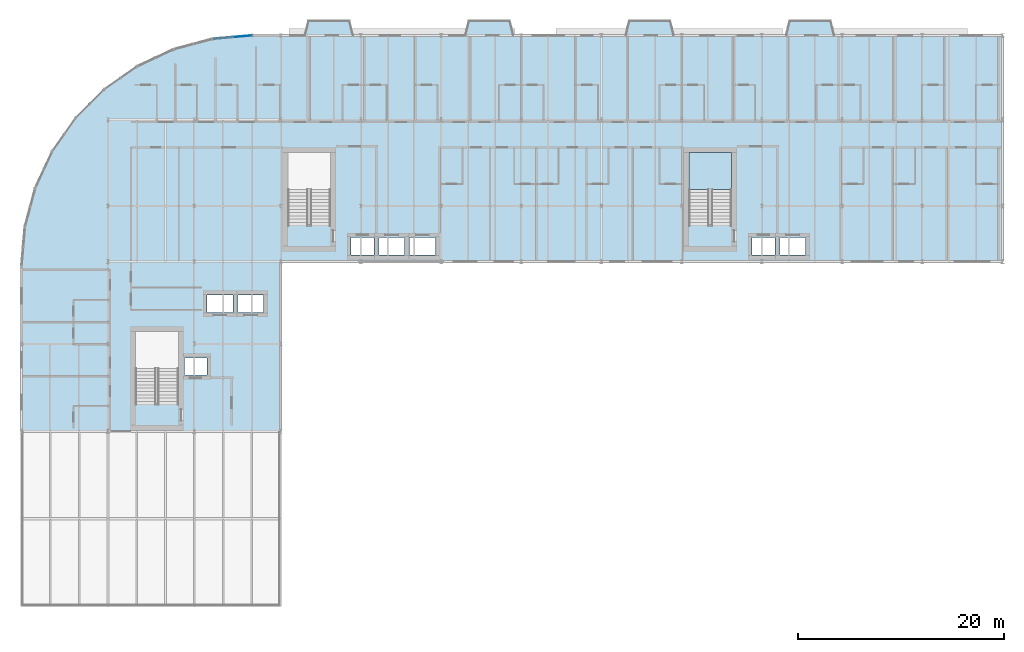
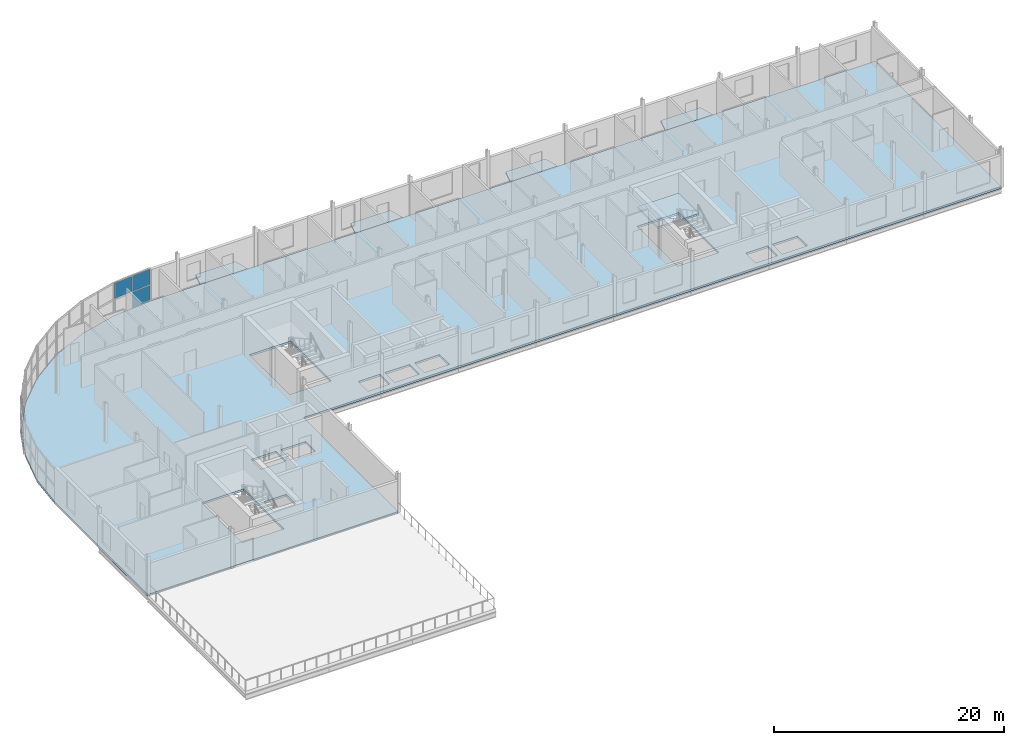
# One storey, part 10 of 22: 6 slabs, 3 plates, 2 elements without a shape of their own.
"""IFC4 building model written with IfcOpenShell, lengths in metres."""

from ifc_helpers import new_model, si_unit, direction, frame, origin, origin_2d, place, context, subcontext, project, spatial, polyline, rectangle, outline, extrude, material, layer, layer_set, type_object, element, aggregate, save


model = new_model("IFC4")

# Units and contexts
model_context = context("Model", 3, precision=1e-05, world=origin(), true_north=direction((0.0, 1.0)))
body_context = subcontext(model_context, "Body", "Model", "MODEL_VIEW")
ifc_project = project(units=[si_unit("LENGTHUNIT", "METRE"), si_unit("AREAUNIT", "SQUARE_METRE"), si_unit("VOLUMEUNIT", "CUBIC_METRE"), si_unit("PLANEANGLEUNIT", "RADIAN"), si_unit("MASSUNIT", "GRAM", prefix="KILO")], contexts=[model_context])

# Site, building, storey
site_placement = place(None, origin())
site = spatial("IfcSite", under=ifc_project, at=site_placement, CompositionType="ELEMENT")
building_placement = place(site_placement, origin())
building = spatial("IfcBuilding", under=site, at=building_placement, Name="Sefraquen Railside Congress Hotel", CompositionType="ELEMENT")
storey_placement = place(building_placement, frame((0.0, 0.0, 42.60009765625)))
storey = spatial("IfcBuildingStorey", under=building, at=storey_placement, Name="L10", CompositionType="ELEMENT", Elevation=42.60009765625)

# Curtain wall, plates
ifc_material_1 = material(Name="Thermally broken anodised aluminium and low-E double glazing", Category="aluminium")
ifc_layer_1 = layer(ifc_material_1, 0.199951171875)
ifc_layer_set_1 = layer_set([ifc_layer_1], Name="Thermally broken anodised aluminium and low-E double glazing")
curtain_wall_type = type_object("IfcCurtainWallType", Name="TCW-UCW-27", PredefinedType="USERDEFINED", material=ifc_layer_set_1)
curtain_wall_placement = place(storey_placement, origin())
curtain_wall = element("IfcCurtainWall", 1, at=curtain_wall_placement, inside=storey, type_object=curtain_wall_type, Name="Rotunda L10 curved curtain wall facet 1", ObjectType="UNITISED CURTAIN WALL", PredefinedType="USERDEFINED")
ifc_material_2 = material(Name="Solar-control low-E double glazing", Category="glass")
ifc_layer_2 = layer(ifc_material_2, 0.02392578125)
ifc_layer_set_2 = layer_set([ifc_layer_2], Name="Solar-control low-E double glazing")
plate_type_1 = type_object("IfcPlateType", Name="TP-CWP-01", PredefinedType="CURTAIN_PANEL", material=ifc_layer_set_2)
plate_1_placement = place(storey_placement, frame((21.50341796875, 117.912841796875, 0.039794921875), z_axis=(0.0, 0.0, 1.0), x_axis=(-0.996196219095, -0.087138355857, 0.0)))
plate_1 = element("IfcPlate", 2, at=plate_1_placement, type_object=plate_type_1, Name="CW-L10-ROT-01 panel 1.1", PredefinedType="CURTAIN_PANEL", context=body_context, shape_type="SweptSolid", body=[
    extrude(rectangle(XDim=1.8310546875, YDim=0.02392578125, at=origin_2d()), origin(), (0.0, 0.0, 1.0), 1.6650390625),
])
ifc_material_3 = material(Name="Triple acoustic solar-control glazing", Category="glass")
ifc_layer_3 = layer(ifc_material_3, 0.031982421875)
ifc_layer_set_3 = layer_set([ifc_layer_3], Name="Triple acoustic solar-control glazing")
plate_type_2 = type_object("IfcPlateType", Name="TP-CWP-02", PredefinedType="CURTAIN_PANEL", material=ifc_layer_set_3)
plate_2_placement = place(storey_placement, frame((21.50341796875, 117.912841796875, 1.784912109375), z_axis=(0.0, 0.0, 1.0), x_axis=(-0.996196219095, -0.087138355857, 0.0)))
plate_2 = element("IfcPlate", 3, at=plate_2_placement, type_object=plate_type_2, Name="CW-L10-ROT-01 panel 2.1", PredefinedType="CURTAIN_PANEL", context=body_context, shape_type="SweptSolid", body=[
    extrude(rectangle(XDim=1.8310546875, YDim=0.031982421875, at=origin_2d()), origin(), (0.0, 0.0, 1.0), 1.6650390625),
])
plate_3_placement = place(storey_placement, frame((19.589599609375, 117.745361328125, 1.784912109375), z_axis=(0.0, 0.0, 1.0), x_axis=(-0.996196219095, -0.087138355857, 0.0)))
plate_3 = element("IfcPlate", 4, at=plate_3_placement, type_object=plate_type_2, Name="CW-L10-ROT-01 panel 2.2", PredefinedType="CURTAIN_PANEL", context=body_context, shape_type="SweptSolid", body=[
    extrude(rectangle(XDim=1.8310546875, YDim=0.031982421875, at=origin_2d()), origin(), (0.0, 0.0, 1.0), 1.6650390625),
])
aggregate(curtain_wall, [plate_1, plate_2, plate_3])

# Slabs
ifc_material_4 = material(Name="Concrete C40/50", Category="concrete")
ifc_layer_4 = layer(ifc_material_4, 0.179931640625)
ifc_layer_set_4 = layer_set([ifc_layer_4], Name="Concrete C40/50")
slab_type_1 = type_object("IfcSlabType", Name="TS-BL-180", PredefinedType="FLOOR", material=ifc_layer_set_4)
slab_1_placement = place(storey_placement, frame((0.0, 0.0, -0.18017578125)))
element("IfcSlab", 5, at=slab_1_placement, inside=storey, type_object=slab_type_1, Name="Hotel Art Nouveau balcony slab L10-01", PredefinedType="FLOOR", context=body_context, shape_type="SweptSolid", body=[
    extrude(outline(polyline([(27.5, 118.0), (32.300048828125, 118.0), (31.89990234375, 119.5), (27.89990234375, 119.5), (27.5, 118.0)])), origin(), (0.0, 0.0, 1.0), 0.18017578125),
])
slab_2_placement = place(storey_placement, frame((0.0, 0.0, -0.18017578125)))
element("IfcSlab", 6, at=slab_2_placement, inside=storey, type_object=slab_type_1, Name="Hotel Art Nouveau balcony slab L10-02", PredefinedType="FLOOR", context=body_context, shape_type="SweptSolid", body=[
    extrude(outline(polyline([(43.10009765625, 118.0), (47.89990234375, 118.0), (47.5, 119.5), (43.5, 119.5), (43.10009765625, 118.0)])), origin(), (0.0, 0.0, 1.0), 0.18017578125),
])
slab_3_placement = place(storey_placement, frame((0.0, 0.0, -0.18017578125)))
element("IfcSlab", 7, at=slab_3_placement, inside=storey, type_object=slab_type_1, Name="Hotel Art Nouveau balcony slab L10-03", PredefinedType="FLOOR", context=body_context, shape_type="SweptSolid", body=[
    extrude(outline(polyline([(58.699951171875, 118.0), (63.5, 118.0), (63.10009765625, 119.5), (59.10009765625, 119.5), (58.699951171875, 118.0)])), origin(), (0.0, 0.0, 1.0), 0.18017578125),
])
slab_4_placement = place(storey_placement, frame((0.0, 0.0, -0.18017578125)))
element("IfcSlab", 8, at=slab_4_placement, inside=storey, type_object=slab_type_1, Name="Hotel Art Nouveau balcony slab L10-04", PredefinedType="FLOOR", context=body_context, shape_type="SweptSolid", body=[
    extrude(outline(polyline([(74.300048828125, 118.0), (79.10009765625, 118.0), (78.699951171875, 119.5), (74.699951171875, 119.5), (74.300048828125, 118.0)])), origin(), (0.0, 0.0, 1.0), 0.18017578125),
])
ifc_layer_5 = layer(ifc_material_4, 0.219970703125)
ifc_layer_set_5 = layer_set([ifc_layer_5], Name="Concrete C40/50")
slab_type_2 = type_object("IfcSlabType", Name="TS-FS-220", PredefinedType="FLOOR", material=ifc_layer_set_5)
slab_5_placement = place(storey_placement, frame((0.0, 0.0, -0.22021484375)))
element("IfcSlab", 9, at=slab_5_placement, inside=storey, type_object=slab_type_2, Name="Hotel Wing L10 floor slab", PredefinedType="FLOOR", context=body_context, shape_type="SweptSolid", body=[
    extrude(outline(polyline([(0.0, 79.5), (25.199951171875, 79.5), (25.199951171875, 96.0), (95.39990234375, 96.0), (95.39990234375, 118.0), (22.5, 118.0), (18.593017578125, 117.658203125), (14.804443359375, 116.64306640625), (11.25, 114.985595703125), (8.037353515625, 112.736083984375), (5.263916015625, 109.962646484375), (3.014404296875, 106.75), (1.35693359375, 103.195556640625), (0.341796875, 99.406982421875), (0.0, 95.5), (0.0, 79.5)]), holes=[polyline([(11.10009765625, 82.219970703125), (15.260009765625, 82.219970703125), (15.260009765625, 89.2119140625), (11.10009765625, 89.2119140625), (11.10009765625, 82.219970703125)]), polyline([(25.89990234375, 99.6201171875), (30.06005859375, 99.6201171875), (30.06005859375, 106.612060546875), (25.89990234375, 106.612060546875), (25.89990234375, 99.6201171875)]), polyline([(64.89990234375, 99.6201171875), (69.06005859375, 99.6201171875), (69.06005859375, 106.612060546875), (64.89990234375, 106.612060546875), (64.89990234375, 99.6201171875)]), polyline([(15.830078125, 84.949951171875), (18.030029296875, 84.949951171875), (18.030029296875, 86.64990234375), (15.830078125, 86.64990234375), (15.830078125, 84.949951171875)]), polyline([(32.06005859375, 96.64990234375), (34.260009765625, 96.64990234375), (34.260009765625, 98.35009765625), (32.06005859375, 98.35009765625), (32.06005859375, 96.64990234375)]), polyline([(71.06005859375, 96.64990234375), (73.260009765625, 96.64990234375), (73.260009765625, 98.35009765625), (71.06005859375, 98.35009765625), (71.06005859375, 96.64990234375)]), polyline([(18.050048828125, 91.050048828125), (20.550048828125, 91.050048828125), (20.550048828125, 92.75), (18.050048828125, 92.75), (18.050048828125, 91.050048828125)]), polyline([(21.0400390625, 91.050048828125), (23.5400390625, 91.050048828125), (23.5400390625, 92.75), (21.0400390625, 92.75), (21.0400390625, 91.050048828125)]), polyline([(34.75, 96.64990234375), (37.25, 96.64990234375), (37.25, 98.35009765625), (34.75, 98.35009765625), (34.75, 96.64990234375)]), polyline([(37.739990234375, 96.64990234375), (40.239990234375, 96.64990234375), (40.239990234375, 98.35009765625), (37.739990234375, 98.35009765625), (37.739990234375, 96.64990234375)]), polyline([(73.75, 96.64990234375), (76.25, 96.64990234375), (76.25, 98.35009765625), (73.75, 98.35009765625), (73.75, 96.64990234375)])]), origin(), (0.0, 0.0, 1.0), 0.22021484375),
])

# Stair, slab
stair_type = type_object("IfcStairType", Name="TST-DOG-198-450", PredefinedType="HALF_TURN_STAIR", material=ifc_material_4)
stair_placement = place(storey_placement, origin())
stair = element("IfcStair", 10, at=stair_placement, inside=storey, type_object=stair_type, Name="L10 Pressurized escape stair ST-H03", PredefinedType="HALF_TURN_STAIR")
ifc_layer_6 = layer(ifc_material_4, 0.199951171875)
ifc_layer_set_6 = layer_set([ifc_layer_6], Name="Concrete C40/50")
slab_type_3 = type_object("IfcSlabType", Name="TS-LD-200", PredefinedType="LANDING", material=ifc_layer_set_6)
slab_6_placement = place(storey_placement, frame((0.0, 0.0, 1.89990234375)))
slab_6 = element("IfcSlab", 11, at=slab_6_placement, type_object=slab_type_3, Name="ST-H03 landing 1", PredefinedType="LANDING", context=body_context, shape_type="SweptSolid", body=[
    extrude(outline(polyline([(69.06005859375, 103.02197265625), (69.06005859375, 106.612060546875), (64.89990234375, 106.612060546875), (64.89990234375, 103.02197265625), (69.06005859375, 103.02197265625)])), origin(), (0.0, 0.0, 1.0), 0.199951171875),
])
aggregate(stair, [slab_6])

save(model, "model.ifc")
